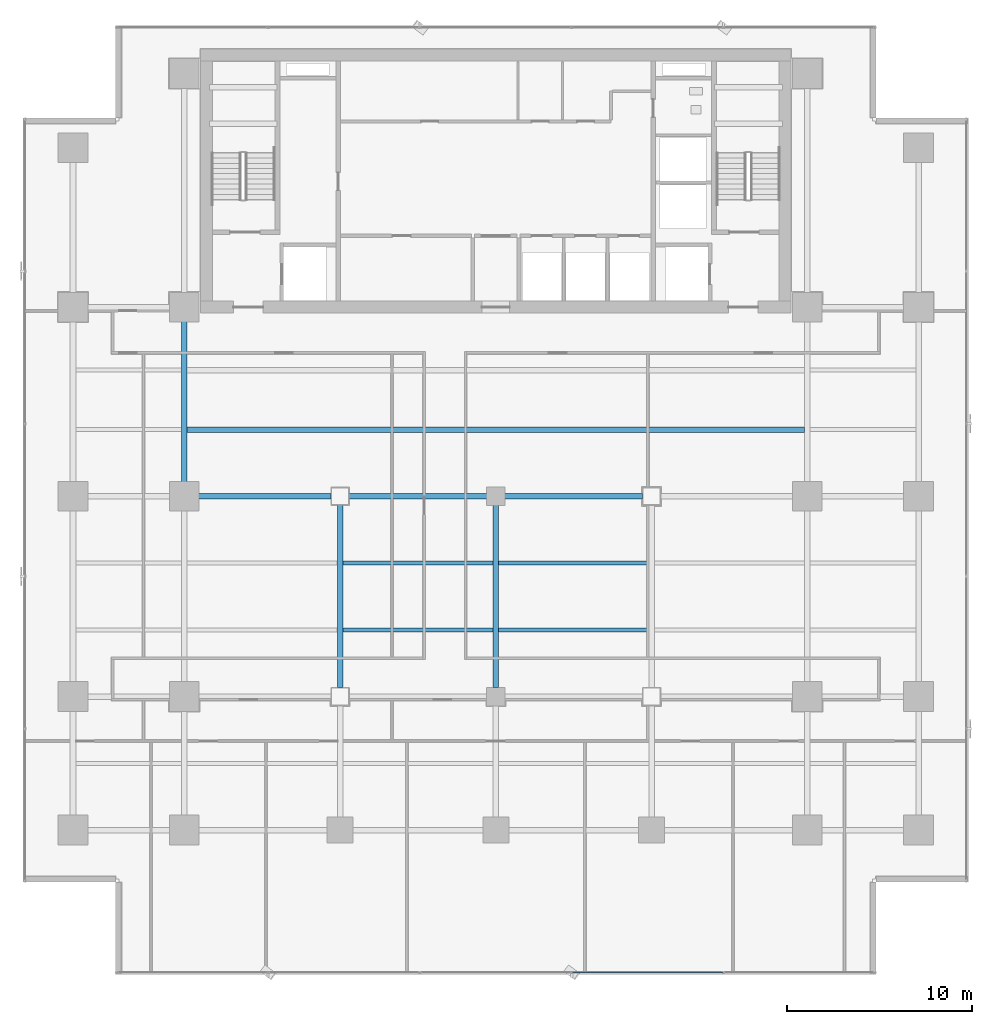
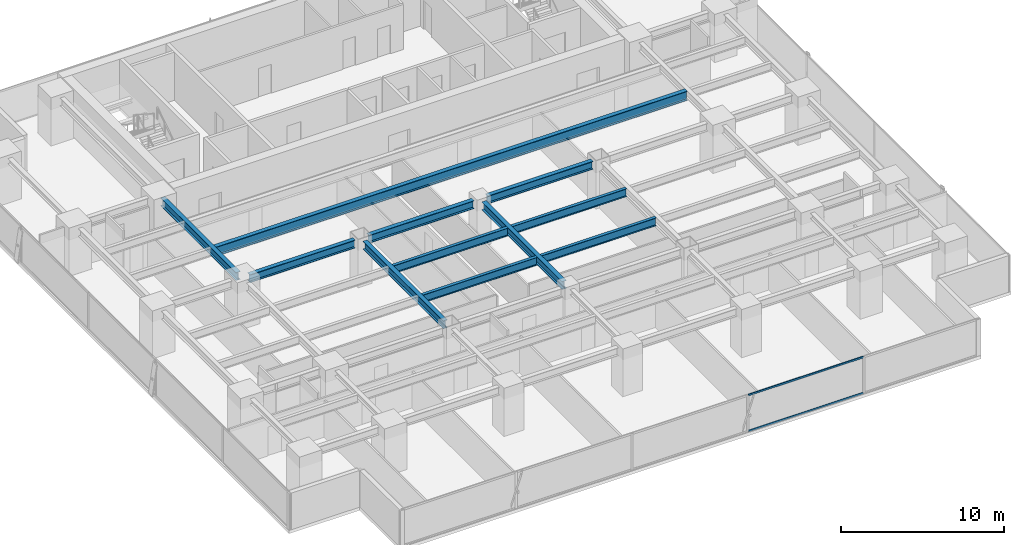
# One storey, part 11 of 36: 11 beams, 2 members, 1 element without a shape of its own.
"""IFC4 building model written with IfcOpenShell, lengths in metres."""

from ifc_helpers import new_model, si_unit, direction, frame, origin, origin_2d, place, context, subcontext, project, spatial, hollow_rectangle, i_section, extrude, source, transform, mapped, material, layer, layer_set, material_profile, profile_set, type_object, element, aggregate, save


model = new_model("IFC4")

# Units and contexts
model_context = context("Model", 3, precision=1e-05, world=origin(), true_north=direction((0.0, 1.0)))
body_context = subcontext(model_context, "Body", "Model", "MODEL_VIEW")
ifc_project = project(units=[si_unit("LENGTHUNIT", "METRE"), si_unit("AREAUNIT", "SQUARE_METRE"), si_unit("VOLUMEUNIT", "CUBIC_METRE"), si_unit("PLANEANGLEUNIT", "RADIAN"), si_unit("MASSUNIT", "GRAM", prefix="KILO")], contexts=[model_context])

# Site, building, storey
site_placement = place(None, origin())
site = spatial("IfcSite", under=ifc_project, at=site_placement, CompositionType="ELEMENT")
building_placement = place(site_placement, origin())
building = spatial("IfcBuilding", under=site, at=building_placement, Name="Sumidabori Civic Tower", CompositionType="ELEMENT")
storey_placement = place(building_placement, frame((0.0, 0.0, 84.800048828125)))
storey = spatial("IfcBuildingStorey", under=building, at=storey_placement, Name="L21", CompositionType="ELEMENT", Elevation=84.800048828125)

# Beams
ifc_material_1 = material(Name="Steel SN490", Category="steel")
ifc_material_profile_1 = material_profile(ifc_material_1, i_section(OverallWidth=0.300048828125, OverallDepth=0.60009765625, WebThickness=0.015380859375, FlangeThickness=0.030029296875, at=origin_2d()), Name="HE 600 B")
ifc_profile_set_1 = profile_set([ifc_material_profile_1], Name="Steel SN490")
beam_type_1 = type_object("IfcBeamType", Name="BM-GIRD-600", PredefinedType="BEAM", material=ifc_profile_set_1)
shared_shape_1 = source(origin(), body_context, "Body", "SweptSolid", [
    extrude(i_section(OverallWidth=0.300048828125, OverallDepth=0.60009765625, WebThickness=0.015380859375, FlangeThickness=0.030029296875, at=origin_2d()), origin(), (0.0, 0.0, 1.0), 7.440185546875),
])
beam_1_placement = place(storey_placement, frame((-16.320068359375, 0.0, 3.06005859375), z_axis=(1.0, 0.0, 0.0), x_axis=(0.0, 1.0, 0.0)))
element("IfcBeam", 1, at=beam_1_placement, inside=storey, type_object=beam_type_1, Name="Primary Girder L21 GX-14", PredefinedType="BEAM", context=body_context, shape_type="MappedRepresentation", body=[
    mapped(shared_shape_1, transform((0.0, 0.0, 0.0), x_axis=(1.0, 0.0, 0.0), y_axis=(0.0, 1.0, 0.0), z_axis=(0.0, 0.0, 1.0), scale=1.0)),
])
shared_shape_2 = source(origin(), body_context, "Body", "SweptSolid", [
    extrude(i_section(OverallWidth=0.300048828125, OverallDepth=0.60009765625, WebThickness=0.015380859375, FlangeThickness=0.030029296875, at=origin_2d()), origin(), (0.0, 0.0, 1.0), 7.43994140625),
])
for number, where, z_axis, x_axis, name in (
    (2, (-7.919921875, 0.0, 3.06005859375), (1.0, 0.0, 0.0), (0.0, 1.0, 0.0), "Primary Girder L21 GX-15"),
    (3, (0.47998046875, 0.0, 3.06005859375), (1.0, 0.0, 0.0), (0.0, 1.0, 0.0), "Primary Girder L21 GX-16"),
):
    element("IfcBeam", number, at=place(storey_placement, frame(where, z_axis=z_axis, x_axis=x_axis)), inside=storey, type_object=beam_type_1, Name=name, PredefinedType="BEAM", context=body_context, shape_type="MappedRepresentation", body=[
        mapped(shared_shape_2, transform((0.0, 0.0, 0.0), x_axis=(1.0, 0.0, 0.0), y_axis=(0.0, 1.0, 0.0), z_axis=(0.0, 0.0, 1.0), scale=1.0)),
    ])
shared_shape_3 = source(origin(), body_context, "Body", "SweptSolid", [
    extrude(i_section(OverallWidth=0.300048828125, OverallDepth=0.60009765625, WebThickness=0.015380859375, FlangeThickness=0.030029296875, at=origin_2d()), origin(), (0.0, 0.0, 1.0), 9.840087890625),
])
for number, where, z_axis, x_axis, name in (
    (4, (-8.39990234375, -10.320068359375, 3.06005859375), (0.0, 1.0, 0.0), (-1.0, 0.0, 0.0), "Primary Girder L21 GY-30"),
    (5, (0.0, -10.320068359375, 3.06005859375), (0.0, 1.0, 0.0), (-1.0, 0.0, 0.0), "Primary Girder L21 GY-32"),
):
    element("IfcBeam", number, at=place(storey_placement, frame(where, z_axis=z_axis, x_axis=x_axis)), inside=storey, type_object=beam_type_1, Name=name, PredefinedType="BEAM", context=body_context, shape_type="MappedRepresentation", body=[
        mapped(shared_shape_3, transform((0.0, 0.0, 0.0), x_axis=(1.0, 0.0, 0.0), y_axis=(0.0, 1.0, 0.0), z_axis=(0.0, 0.0, 1.0), scale=1.0)),
    ])
shared_shape_4 = source(origin(), body_context, "Body", "SweptSolid", [
    extrude(i_section(OverallWidth=0.300048828125, OverallDepth=0.60009765625, WebThickness=0.015380859375, FlangeThickness=0.030029296875, at=origin_2d()), origin(), (0.0, 0.0, 1.0), 9.239990234375),
])
beam_2_placement = place(storey_placement, frame((-16.800048828125, 0.47998046875, 3.06005859375), z_axis=(0.0, 1.0, 0.0), x_axis=(-1.0, 0.0, 0.0)))
element("IfcBeam", 6, at=beam_2_placement, inside=storey, type_object=beam_type_1, Name="Primary Girder L21 GY-27", PredefinedType="BEAM", context=body_context, shape_type="MappedRepresentation", body=[
    mapped(shared_shape_4, transform((0.0, 0.0, 0.0), x_axis=(1.0, 0.0, 0.0), y_axis=(0.0, 1.0, 0.0), z_axis=(0.0, 0.0, 1.0), scale=1.0)),
])
ifc_material_profile_2 = material_profile(ifc_material_1, i_section(OverallWidth=0.300048828125, OverallDepth=0.699951171875, WebThickness=0.01708984375, FlangeThickness=0.031982421875, at=origin_2d()), Name="HE 700 B")
ifc_profile_set_2 = profile_set([ifc_material_profile_2], Name="Steel SN490")
beam_type_2 = type_object("IfcBeamType", Name="BM-GIRD-700", PredefinedType="BEAM", material=ifc_profile_set_2)
shared_shape_5 = source(origin(), body_context, "Body", "SweptSolid", [
    extrude(i_section(OverallWidth=0.300048828125, OverallDepth=0.699951171875, WebThickness=0.01708984375, FlangeThickness=0.031982421875, at=origin_2d()), origin(), (0.0, 0.0, 1.0), 33.2998046875),
])
beam_3_placement = place(storey_placement, frame((-16.64990234375, 3.60009765625, 3.010009765625), z_axis=(1.0, 0.0, 0.0), x_axis=(0.0, 1.0, 0.0)))
element("IfcBeam", 7, at=beam_3_placement, inside=storey, type_object=beam_type_2, Name="North Bay Floor Beam L21 JSTN-53", PredefinedType="BEAM", context=body_context, shape_type="MappedRepresentation", body=[
    mapped(shared_shape_5, transform((0.0, 0.0, 0.0), x_axis=(1.0, 0.0, 0.0), y_axis=(0.0, 1.0, 0.0), z_axis=(0.0, 0.0, 1.0), scale=1.0)),
])
ifc_material_profile_3 = material_profile(ifc_material_1, i_section(OverallWidth=0.219970703125, OverallDepth=0.60009765625, WebThickness=0.011962890625, FlangeThickness=0.01904296875, at=origin_2d()), Name="IPE 600")
ifc_profile_set_3 = profile_set([ifc_material_profile_3], Name="Steel SN490")
beam_type_3 = type_object("IfcBeamType", Name="BM-JST-600", PredefinedType="JOIST", material=ifc_profile_set_3)
shared_shape_6 = source(origin(), body_context, "Body", "SweptSolid", [
    extrude(i_section(OverallWidth=0.219970703125, OverallDepth=0.60009765625, WebThickness=0.011962890625, FlangeThickness=0.01904296875, at=origin_2d()), origin(), (0.0, 0.0, 1.0), 8.10009765625),
])
for number, where, z_axis, x_axis, name in (
    (8, (-8.25, -7.199951171875, 3.06005859375), (1.0, 0.0, 0.0), (0.0, 1.0, 0.0), "South Bay Floor Joist L21 JSTS-60"),
    (9, (0.14990234375, -7.199951171875, 3.06005859375), (1.0, 0.0, 0.0), (0.0, 1.0, 0.0), "South Bay Floor Joist L21 JSTS-61"),
    (10, (-8.25, -3.60009765625, 3.06005859375), (1.0, 0.0, 0.0), (0.0, 1.0, 0.0), "South Bay Floor Joist L21 JSTS-64"),
    (11, (0.14990234375, -3.60009765625, 3.06005859375), (1.0, 0.0, 0.0), (0.0, 1.0, 0.0), "South Bay Floor Joist L21 JSTS-65"),
):
    element("IfcBeam", number, at=place(storey_placement, frame(where, z_axis=z_axis, x_axis=x_axis)), inside=storey, type_object=beam_type_3, Name=name, PredefinedType="JOIST", context=body_context, shape_type="MappedRepresentation", body=[
        mapped(shared_shape_6, transform((0.0, 0.0, 0.0), x_axis=(1.0, 0.0, 0.0), y_axis=(0.0, 1.0, 0.0), z_axis=(0.0, 0.0, 1.0), scale=1.0)),
    ])

# Curtain wall, members
ifc_material_2 = material(Name="Anodised Bronze Aluminium AW-6063-T6", Category="aluminium")
ifc_layer = layer(ifc_material_2, 0.179931640625, Name="Anodised Bronze Aluminium AW-6063-T6")
ifc_layer_set = layer_set([ifc_layer], Name="Anodised Bronze Aluminium AW-6063-T6")
curtain_wall_type = type_object("IfcCurtainWallType", Name="CW-SYS-3", PredefinedType="NOTDEFINED", material=ifc_layer_set)
curtain_wall_placement = place(storey_placement, origin())
curtain_wall = element("IfcCurtainWall", 12, at=curtain_wall_placement, inside=storey, type_object=curtain_wall_type, Name="Curtain Wall CW:L21:R01", PredefinedType="NOTDEFINED")
ifc_material_profile_4 = material_profile(ifc_material_2, hollow_rectangle(XDim=0.06005859375, YDim=0.1298828125, WallThickness=0.0048828125, at=origin_2d()), Name="ALU TRANSOM 130x60")
ifc_profile_set_4 = profile_set([ifc_material_profile_4], Name="Anodised Bronze Aluminium AW-6063-T6")
member_type = type_object("IfcMemberType", Name="CW-TRN-130", PredefinedType="USERDEFINED", material=ifc_profile_set_4)
shared_shape_7 = source(origin(), body_context, "Body", "SweptSolid", [
    extrude(hollow_rectangle(XDim=0.06005859375, YDim=0.1298828125, WallThickness=0.0048828125, at=origin_2d()), origin(), (0.0, 0.0, 1.0), 8.123046875),
])
member_1_placement = place(storey_placement, frame((4.12646484375, -25.679931640625, 0.030029296875), z_axis=(1.0, 0.0, 0.0), x_axis=(0.0, 1.0, 0.0)))
member_1 = element("IfcMember", 13, at=member_1_placement, type_object=member_type, Name="CW-3 transom 4.1", ObjectType="TRANSOM", PredefinedType="USERDEFINED", context=body_context, shape_type="MappedRepresentation", body=[
    mapped(shared_shape_7, transform((0.0, 0.0, 0.0), x_axis=(1.0, 0.0, 0.0), y_axis=(0.0, 1.0, 0.0), z_axis=(0.0, 0.0, 1.0), scale=1.0)),
])
member_2_placement = place(storey_placement, frame((4.12646484375, -25.679931640625, 2.7099609375), z_axis=(1.0, 0.0, 0.0), x_axis=(0.0, 1.0, 0.0)))
member_2 = element("IfcMember", 14, at=member_2_placement, type_object=member_type, Name="CW-3 transom 4.2", ObjectType="TRANSOM", PredefinedType="USERDEFINED", context=body_context, shape_type="MappedRepresentation", body=[
    mapped(shared_shape_7, transform((0.0, 0.0, 0.0), x_axis=(1.0, 0.0, 0.0), y_axis=(0.0, 1.0, 0.0), z_axis=(0.0, 0.0, 1.0), scale=1.0)),
])
aggregate(curtain_wall, [member_1, member_2])

save(model, "model.ifc")
